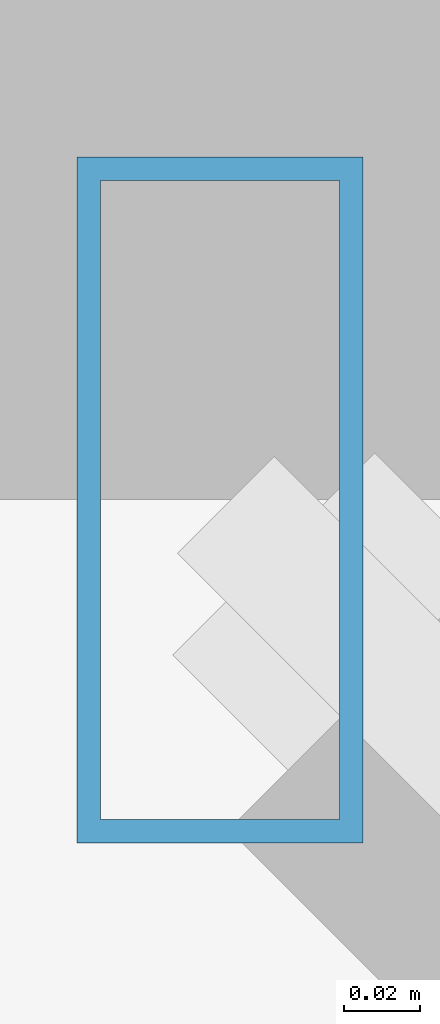
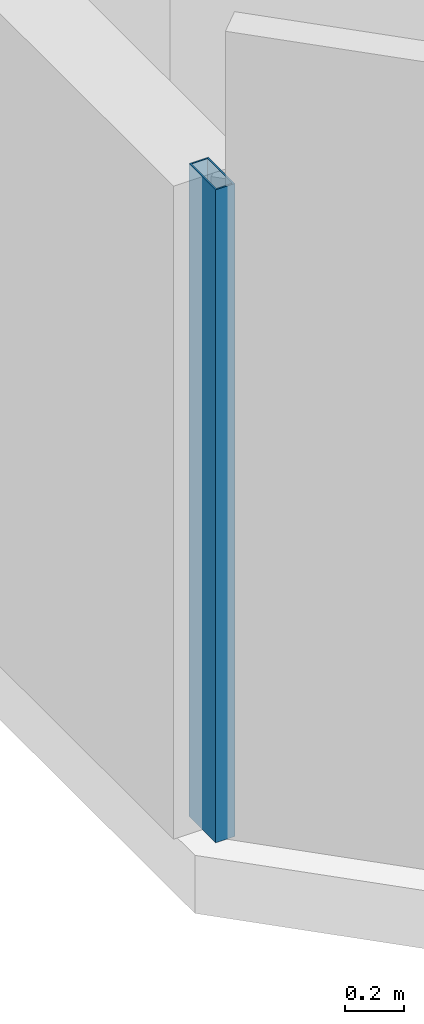
# One storey, part 8 of 34: 1 member, 1 element without a shape of its own.
"""IFC4 building model written with IfcOpenShell, lengths in metres."""

from ifc_helpers import new_model, si_unit, direction, frame, origin, origin_2d, place, context, subcontext, project, spatial, hollow_rectangle, extrude, material, material_profile, profile_set, type_object, element, aggregate, save


model = new_model("IFC4")

# Units and contexts
model_context = context("Model", 3, precision=1e-05, world=origin(), true_north=direction((0.0, 1.0)))
body_context = subcontext(model_context, "Body", "Model", "MODEL_VIEW")
ifc_project = project(units=[si_unit("LENGTHUNIT", "METRE"), si_unit("AREAUNIT", "SQUARE_METRE"), si_unit("VOLUMEUNIT", "CUBIC_METRE"), si_unit("PLANEANGLEUNIT", "RADIAN"), si_unit("MASSUNIT", "GRAM", prefix="KILO")], contexts=[model_context])

# Site, building, storey
site_placement = place(None, origin())
site = spatial("IfcSite", under=ifc_project, at=site_placement, CompositionType="ELEMENT")
building_placement = place(site_placement, origin())
building = spatial("IfcBuilding", under=site, at=building_placement, Name="Thornwick Lancets Civic Towers", CompositionType="ELEMENT")
storey_placement = place(building_placement, frame((0.0, 0.0, 261.89990234375)))
storey = spatial("IfcBuildingStorey", under=building, at=storey_placement, Name="L70", CompositionType="ELEMENT", Elevation=261.89990234375)

# Curtain wall, member
ifc_material_1 = material(Name="High-zone chamfered-corner unitised glass curtain wall", Category="glass")
curtain_wall_type = type_object("IfcCurtainWallType", Name="CW_SYS_05", PredefinedType="NOTDEFINED", material=ifc_material_1)
curtain_wall_placement = place(storey_placement, origin())
curtain_wall = element("IfcCurtainWall", 1, at=curtain_wall_placement, inside=storey, type_object=curtain_wall_type, Name="L70 Curtain Wall CW-L70-B-E7", PredefinedType="NOTDEFINED")
ifc_material_2 = material(Name="Thermally broken bronze aluminium S355", Category="steel")
ifc_material_profile = material_profile(ifc_material_2, hollow_rectangle(XDim=0.074951171875, YDim=0.179931640625, WallThickness=0.006103515625, at=origin_2d()), Name="RHS 180x75x6")
ifc_profile_set = profile_set([ifc_material_profile], Name="Thermally broken bronze aluminium S355")
member_type = type_object("IfcMemberType", Name="CW_MUL_180", PredefinedType="MULLION", material=ifc_profile_set)
member_placement = place(storey_placement, frame((70.7353515625, 11.818603515625, 0.0), z_axis=(0.0, 0.0, 1.0), x_axis=(1.0, 0.0, 0.0)))
member = element("IfcMember", 2, at=member_placement, type_object=member_type, Name="CW-L70-B-E7 Mullion 0", PredefinedType="MULLION", context=body_context, shape_type="SweptSolid", body=[
    extrude(hollow_rectangle(XDim=0.074951171875, YDim=0.179931640625, WallThickness=0.006103515625, at=origin_2d()), origin(), (0.0, 0.0, 1.0), 2.7001953125),
])
aggregate(curtain_wall, [member])

save(model, "model.ifc")
